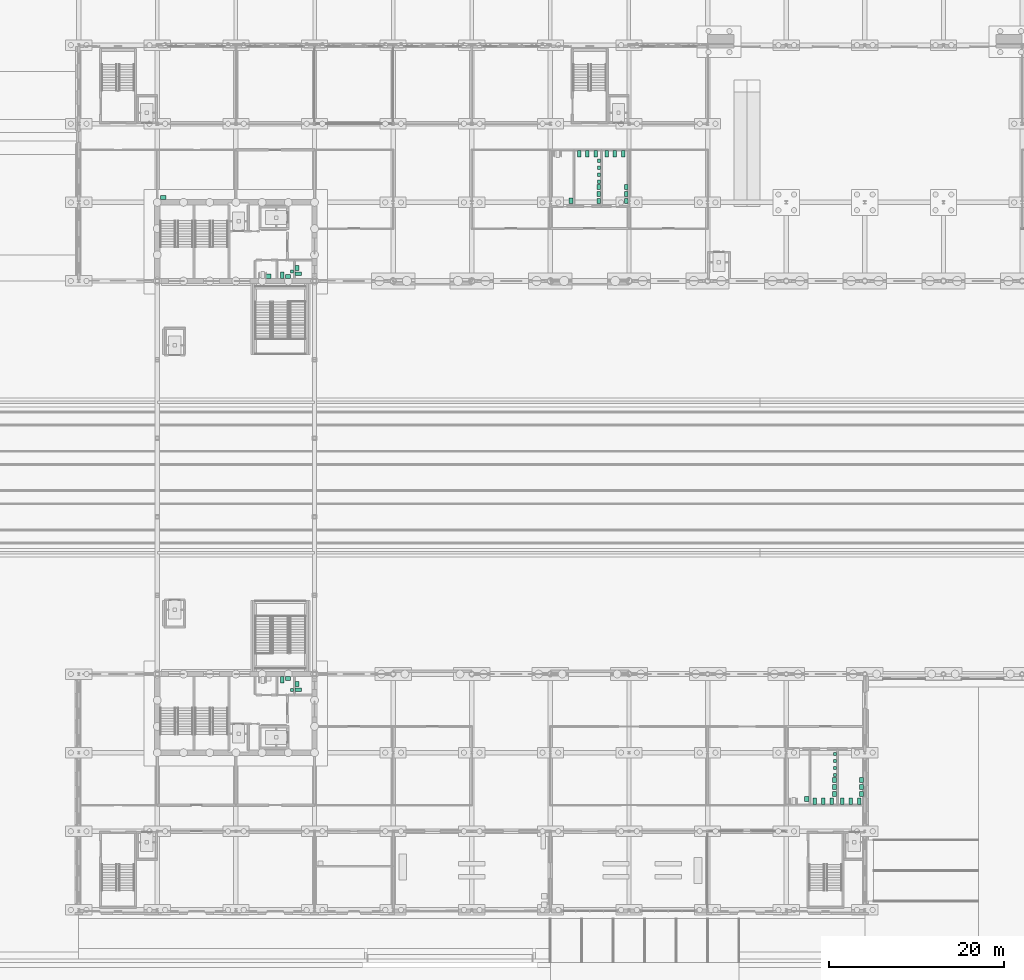
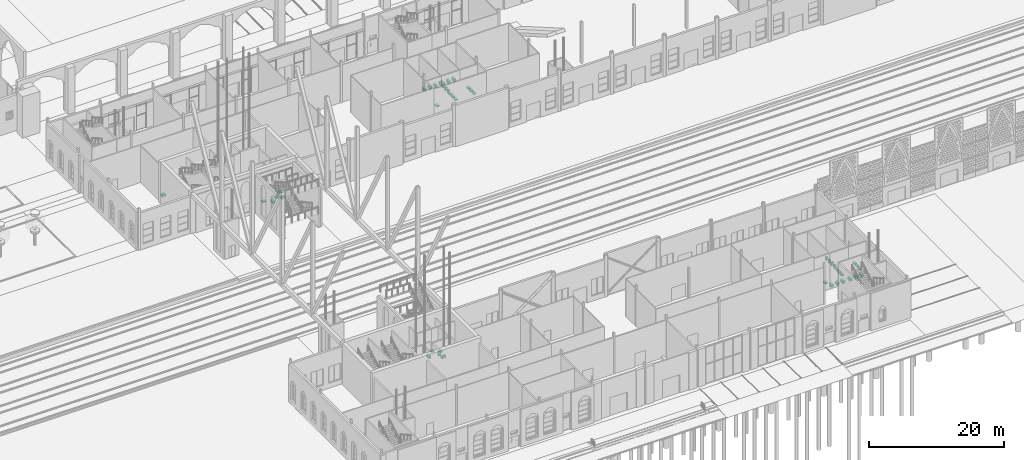
# One storey, part 233 of 250: 46 sanitary terminals.
"""IFC4 building model written with IfcOpenShell, lengths in metres."""

from ifc_helpers import new_model, si_unit, direction, frame, origin, origin_2d, place, context, subcontext, project, spatial, rectangle, extrude, material, type_object, element, save


model = new_model("IFC4")

# Units and contexts
model_context = context("Model", 3, precision=1e-05, world=origin(), true_north=direction((0.0, 1.0)))
body_context = subcontext(model_context, "Body", "Model", "MODEL_VIEW")
ifc_project = project(units=[si_unit("LENGTHUNIT", "METRE"), si_unit("AREAUNIT", "SQUARE_METRE"), si_unit("VOLUMEUNIT", "CUBIC_METRE"), si_unit("PLANEANGLEUNIT", "RADIAN"), si_unit("MASSUNIT", "GRAM", prefix="KILO")], contexts=[model_context])

# Site, building, storey
site_placement = place(None, origin())
site = spatial("IfcSite", under=ifc_project, at=site_placement, CompositionType="ELEMENT")
building_placement = place(site_placement, origin())
building = spatial("IfcBuilding", under=site, at=building_placement, Name="Baradari Gate Terminus", CompositionType="ELEMENT")
storey_placement = place(building_placement, origin())
storey = spatial("IfcBuildingStorey", under=building, at=storey_placement, Name="L00", CompositionType="ELEMENT", Elevation=0.0)

# Sanitary terminals
ifc_material_1 = material(Name="Vitreous china", Category="ceramic")
sanitary_terminal_type_1 = type_object("IfcSanitaryTerminalType", Name="Accessible wash basin SW-6", PredefinedType="WASHHANDBASIN", material=ifc_material_1)
for number, where, z_axis, x_axis, name in (
    (1, (119.362548828125, 90.1875, 0.75), (0.0, 0.0, 1.0), (1.0, 0.0, 0.0), "Accessible wash basin Accessible WC"),
    (2, (146.362548828125, 21.6875, 0.75), (0.0, 0.0, 1.0), (1.0, 0.0, 0.0), "Accessible wash basin Accessible WC"),
):
    element("IfcSanitaryTerminal", number, at=place(storey_placement, frame(where, z_axis=z_axis, x_axis=x_axis)), inside=storey, type_object=sanitary_terminal_type_1, Name=name, PredefinedType="WASHHANDBASIN", context=body_context, shape_type="SweptSolid", body=[
        extrude(rectangle(XDim=0.5, YDim=0.60009765625, at=origin_2d()), origin(), (0.0, 0.0, 1.0), 0.199951171875),
    ])
sanitary_terminal_1_placement = place(storey_placement, frame((84.699951171875, 81.550048828125, 0.75), z_axis=(0.0, 0.0, 1.0), x_axis=(1.0, 0.0, 0.0)))
element("IfcSanitaryTerminal", 3, at=sanitary_terminal_1_placement, inside=storey, type_object=sanitary_terminal_type_1, Name="Accessible wash basin Accessible WC", PredefinedType="WASHHANDBASIN", context=body_context, shape_type="SweptSolid", body=[
    extrude(rectangle(XDim=0.60009765625, YDim=0.5, at=origin_2d()), origin(), (0.0, 0.0, 1.0), 0.199951171875),
])
ifc_material_2 = material(Name="Vitreous china", Category="ceramic")
sanitary_terminal_type_2 = type_object("IfcSanitaryTerminalType", Name="Cleaner's sink SW-4", PredefinedType="SINK", material=ifc_material_2)
sanitary_terminal_2_placement = place(storey_placement, frame((72.675048828125, 90.550048828125, 0.550048828125), z_axis=(0.0, 0.0, 1.0), x_axis=(1.0, 0.0, 0.0)))
element("IfcSanitaryTerminal", 4, at=sanitary_terminal_2_placement, inside=storey, type_object=sanitary_terminal_type_2, Name="Cleaner's sink Cleaner's Store 1", PredefinedType="SINK", context=body_context, shape_type="SweptSolid", body=[
    extrude(rectangle(XDim=0.60009765625, YDim=0.5, at=origin_2d()), origin(), (0.0, 0.0, 1.0), 0.39990234375),
])
ifc_material_3 = material(Name="Vitreous china", Category="ceramic")
sanitary_terminal_type_3 = type_object("IfcSanitaryTerminalType", Name="Urinal SW-3", PredefinedType="URINAL", material=ifc_material_3)
for number, where, z_axis, x_axis, name in (
    (5, (122.58740234375, 92.362548828125, 0.64990234375), (0.0, 0.0, 1.0), (1.0, 0.0, 0.0), "Urinal Male WC"),
    (6, (122.58740234375, 93.16259765625, 0.64990234375), (0.0, 0.0, 1.0), (1.0, 0.0, 0.0), "Urinal Male WC"),
    (7, (122.58740234375, 93.96240234375, 0.64990234375), (0.0, 0.0, 1.0), (1.0, 0.0, 0.0), "Urinal Male WC"),
    (8, (122.58740234375, 94.762451171875, 0.64990234375), (0.0, 0.0, 1.0), (1.0, 0.0, 0.0), "Urinal Male WC"),
    (9, (149.58740234375, 24.46240234375, 0.64990234375), (0.0, 0.0, 1.0), (1.0, 0.0, 0.0), "Urinal Male WC"),
    (10, (149.58740234375, 25.262451171875, 0.64990234375), (0.0, 0.0, 1.0), (1.0, 0.0, 0.0), "Urinal Male WC"),
    (11, (149.58740234375, 26.0625, 0.64990234375), (0.0, 0.0, 1.0), (1.0, 0.0, 0.0), "Urinal Male WC"),
    (12, (149.58740234375, 26.862548828125, 0.64990234375), (0.0, 0.0, 1.0), (1.0, 0.0, 0.0), "Urinal Male WC"),
    (13, (87.4375, 82.074951171875, 0.64990234375), (0.0, 0.0, 1.0), (1.0, 0.0, 0.0), "Urinal Male WC"),
    (14, (87.4375, 34.175048828125, 0.64990234375), (0.0, 0.0, 1.0), (1.0, 0.0, 0.0), "Urinal Male WC"),
):
    element("IfcSanitaryTerminal", number, at=place(storey_placement, frame(where, z_axis=z_axis, x_axis=x_axis)), inside=storey, type_object=sanitary_terminal_type_3, Name=name, PredefinedType="URINAL", context=body_context, shape_type="SweptSolid", body=[
        extrude(rectangle(XDim=0.35009765625, YDim=0.35009765625, at=origin_2d()), origin(), (0.0, 0.0, 1.0), 0.60009765625),
    ])
ifc_material_4 = material(Name="Vitreous china", Category="ceramic")
sanitary_terminal_type_4 = type_object("IfcSanitaryTerminalType", Name="WC pan SW-1", PredefinedType="TOILETPAN", material=ifc_material_4)
for number, where, z_axis, x_axis, name in (
    (15, (120.28759765625, 95.5625, 0.0), (0.0, 0.0, 1.0), (1.0, 0.0, 0.0), "WC pan Male WC"),
    (16, (121.237548828125, 95.5625, 0.0), (0.0, 0.0, 1.0), (1.0, 0.0, 0.0), "WC pan Male WC"),
    (17, (122.1875, 95.5625, 0.0), (0.0, 0.0, 1.0), (1.0, 0.0, 0.0), "WC pan Male WC"),
    (18, (123.4375, 95.5625, 0.0), (0.0, 0.0, 1.0), (1.0, 0.0, 0.0), "WC pan Female WC"),
    (19, (124.387451171875, 95.5625, 0.0), (0.0, 0.0, 1.0), (1.0, 0.0, 0.0), "WC pan Female WC"),
    (20, (125.33740234375, 95.5625, 0.0), (0.0, 0.0, 1.0), (1.0, 0.0, 0.0), "WC pan Female WC"),
    (21, (147.28759765625, 21.4375, 0.0), (0.0, 0.0, 1.0), (1.0, 0.0, 0.0), "WC pan Male WC"),
    (22, (148.237548828125, 21.4375, 0.0), (0.0, 0.0, 1.0), (1.0, 0.0, 0.0), "WC pan Male WC"),
    (23, (149.1875, 21.4375, 0.0), (0.0, 0.0, 1.0), (1.0, 0.0, 0.0), "WC pan Male WC"),
    (24, (150.4375, 21.4375, 0.0), (0.0, 0.0, 1.0), (1.0, 0.0, 0.0), "WC pan Female WC"),
    (25, (151.387451171875, 21.4375, 0.0), (0.0, 0.0, 1.0), (1.0, 0.0, 0.0), "WC pan Female WC"),
    (26, (152.33740234375, 21.4375, 0.0), (0.0, 0.0, 1.0), (1.0, 0.0, 0.0), "WC pan Female WC"),
    (27, (86.28759765625, 81.64990234375, 0.0), (0.0, 0.0, 1.0), (1.0, 0.0, 0.0), "WC pan Male WC"),
):
    element("IfcSanitaryTerminal", number, at=place(storey_placement, frame(where, z_axis=z_axis, x_axis=x_axis)), inside=storey, type_object=sanitary_terminal_type_4, Name=name, PredefinedType="TOILETPAN", context=body_context, shape_type="SweptSolid", body=[
        extrude(rectangle(XDim=0.39990234375, YDim=0.699951171875, at=origin_2d()), origin(), (0.0, 0.0, 1.0), 0.419921875),
    ])
sanitary_terminal_3_placement = place(storey_placement, frame((88.137451171875, 81.800048828125, 0.0), z_axis=(0.0, 0.0, 1.0), x_axis=(1.0, 0.0, 0.0)))
element("IfcSanitaryTerminal", 28, at=sanitary_terminal_3_placement, inside=storey, type_object=sanitary_terminal_type_4, Name="WC pan Female WC", PredefinedType="TOILETPAN", context=body_context, shape_type="SweptSolid", body=[
    extrude(rectangle(XDim=0.699951171875, YDim=0.39990234375, at=origin_2d()), origin(), (0.0, 0.0, 1.0), 0.419921875),
])
sanitary_terminal_4_placement = place(storey_placement, frame((86.28759765625, 35.35009765625, 0.0), z_axis=(0.0, 0.0, 1.0), x_axis=(1.0, 0.0, 0.0)))
element("IfcSanitaryTerminal", 29, at=sanitary_terminal_4_placement, inside=storey, type_object=sanitary_terminal_type_4, Name="WC pan Male WC", PredefinedType="TOILETPAN", context=body_context, shape_type="SweptSolid", body=[
    extrude(rectangle(XDim=0.39990234375, YDim=0.699951171875, at=origin_2d()), origin(), (0.0, 0.0, 1.0), 0.419921875),
])
sanitary_terminal_5_placement = place(storey_placement, frame((88.137451171875, 34.199951171875, 0.0), z_axis=(0.0, 0.0, 1.0), x_axis=(1.0, 0.0, 0.0)))
element("IfcSanitaryTerminal", 30, at=sanitary_terminal_5_placement, inside=storey, type_object=sanitary_terminal_type_4, Name="WC pan Female WC", PredefinedType="TOILETPAN", context=body_context, shape_type="SweptSolid", body=[
    extrude(rectangle(XDim=0.699951171875, YDim=0.39990234375, at=origin_2d()), origin(), (0.0, 0.0, 1.0), 0.419921875),
])
ifc_material_5 = material(Name="Vitreous china", Category="ceramic")
sanitary_terminal_type_5 = type_object("IfcSanitaryTerminalType", Name="Wash basin SW-2", PredefinedType="WASHHANDBASIN", material=ifc_material_5)
for number, where, z_axis, x_axis, name in (
    (31, (122.53759765625, 90.16259765625, 0.75), (0.0, 0.0, 1.0), (1.0, 0.0, 0.0), "Wash basin Male WC"),
    (32, (122.53759765625, 90.96240234375, 0.75), (0.0, 0.0, 1.0), (1.0, 0.0, 0.0), "Wash basin Male WC"),
    (33, (122.53759765625, 91.762451171875, 0.75), (0.0, 0.0, 1.0), (1.0, 0.0, 0.0), "Wash basin Male WC"),
    (34, (125.6875, 90.16259765625, 0.75), (0.0, 0.0, 1.0), (1.0, 0.0, 0.0), "Wash basin Female WC"),
    (35, (125.6875, 90.96240234375, 0.75), (0.0, 0.0, 1.0), (1.0, 0.0, 0.0), "Wash basin Female WC"),
    (36, (125.6875, 91.762451171875, 0.75), (0.0, 0.0, 1.0), (1.0, 0.0, 0.0), "Wash basin Female WC"),
    (37, (149.53759765625, 22.262451171875, 0.75), (0.0, 0.0, 1.0), (1.0, 0.0, 0.0), "Wash basin Male WC"),
    (38, (149.53759765625, 23.0625, 0.75), (0.0, 0.0, 1.0), (1.0, 0.0, 0.0), "Wash basin Male WC"),
    (39, (149.53759765625, 23.862548828125, 0.75), (0.0, 0.0, 1.0), (1.0, 0.0, 0.0), "Wash basin Male WC"),
    (40, (152.614990234375, 22.262451171875, 0.75), (0.0, 0.0, 1.0), (1.0, 0.0, 0.0), "Wash basin Female WC"),
    (41, (152.614990234375, 23.0625, 0.75), (0.0, 0.0, 1.0), (1.0, 0.0, 0.0), "Wash basin Female WC"),
    (42, (152.614990234375, 23.862548828125, 0.75), (0.0, 0.0, 1.0), (1.0, 0.0, 0.0), "Wash basin Female WC"),
):
    element("IfcSanitaryTerminal", number, at=place(storey_placement, frame(where, z_axis=z_axis, x_axis=x_axis)), inside=storey, type_object=sanitary_terminal_type_5, Name=name, PredefinedType="WASHHANDBASIN", context=body_context, shape_type="SweptSolid", body=[
        extrude(rectangle(XDim=0.449951171875, YDim=0.550048828125, at=origin_2d()), origin(), (0.0, 0.0, 1.0), 0.199951171875),
    ])
sanitary_terminal_6_placement = place(storey_placement, frame((86.96240234375, 81.52490234375, 0.75), z_axis=(0.0, 0.0, 1.0), x_axis=(1.0, 0.0, 0.0)))
element("IfcSanitaryTerminal", 43, at=sanitary_terminal_6_placement, inside=storey, type_object=sanitary_terminal_type_5, Name="Wash basin Male WC", PredefinedType="WASHHANDBASIN", context=body_context, shape_type="SweptSolid", body=[
    extrude(rectangle(XDim=0.550048828125, YDim=0.449951171875, at=origin_2d()), origin(), (0.0, 0.0, 1.0), 0.199951171875),
])
sanitary_terminal_7_placement = place(storey_placement, frame((88.012451171875, 82.47509765625, 0.75), z_axis=(0.0, 0.0, 1.0), x_axis=(1.0, 0.0, 0.0)))
element("IfcSanitaryTerminal", 44, at=sanitary_terminal_7_placement, inside=storey, type_object=sanitary_terminal_type_5, Name="Wash basin Female WC", PredefinedType="WASHHANDBASIN", context=body_context, shape_type="SweptSolid", body=[
    extrude(rectangle(XDim=0.449951171875, YDim=0.550048828125, at=origin_2d()), origin(), (0.0, 0.0, 1.0), 0.199951171875),
])
sanitary_terminal_8_placement = place(storey_placement, frame((86.96240234375, 35.47509765625, 0.75), z_axis=(0.0, 0.0, 1.0), x_axis=(1.0, 0.0, 0.0)))
element("IfcSanitaryTerminal", 45, at=sanitary_terminal_8_placement, inside=storey, type_object=sanitary_terminal_type_5, Name="Wash basin Male WC", PredefinedType="WASHHANDBASIN", context=body_context, shape_type="SweptSolid", body=[
    extrude(rectangle(XDim=0.550048828125, YDim=0.449951171875, at=origin_2d()), origin(), (0.0, 0.0, 1.0), 0.199951171875),
])
sanitary_terminal_9_placement = place(storey_placement, frame((88.012451171875, 34.875, 0.75), z_axis=(0.0, 0.0, 1.0), x_axis=(1.0, 0.0, 0.0)))
element("IfcSanitaryTerminal", 46, at=sanitary_terminal_9_placement, inside=storey, type_object=sanitary_terminal_type_5, Name="Wash basin Female WC", PredefinedType="WASHHANDBASIN", context=body_context, shape_type="SweptSolid", body=[
    extrude(rectangle(XDim=0.449951171875, YDim=0.550048828125, at=origin_2d()), origin(), (0.0, 0.0, 1.0), 0.199951171875),
])

save(model, "model.ifc")
